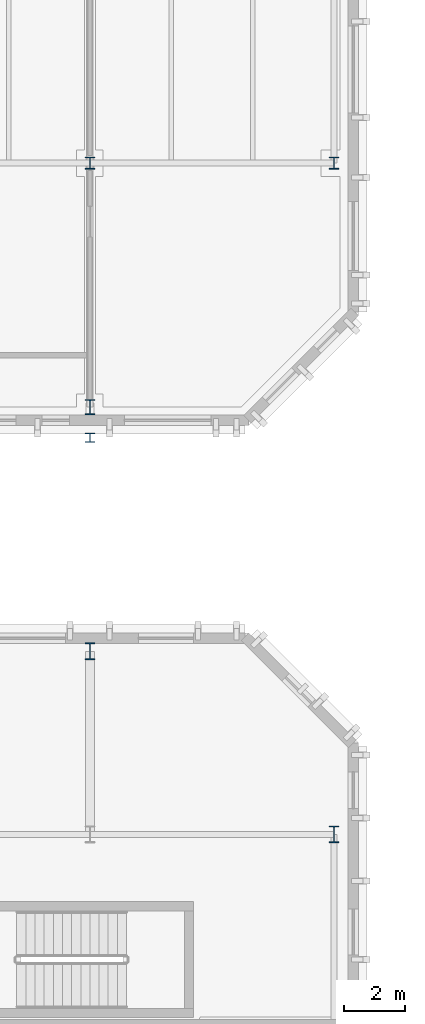
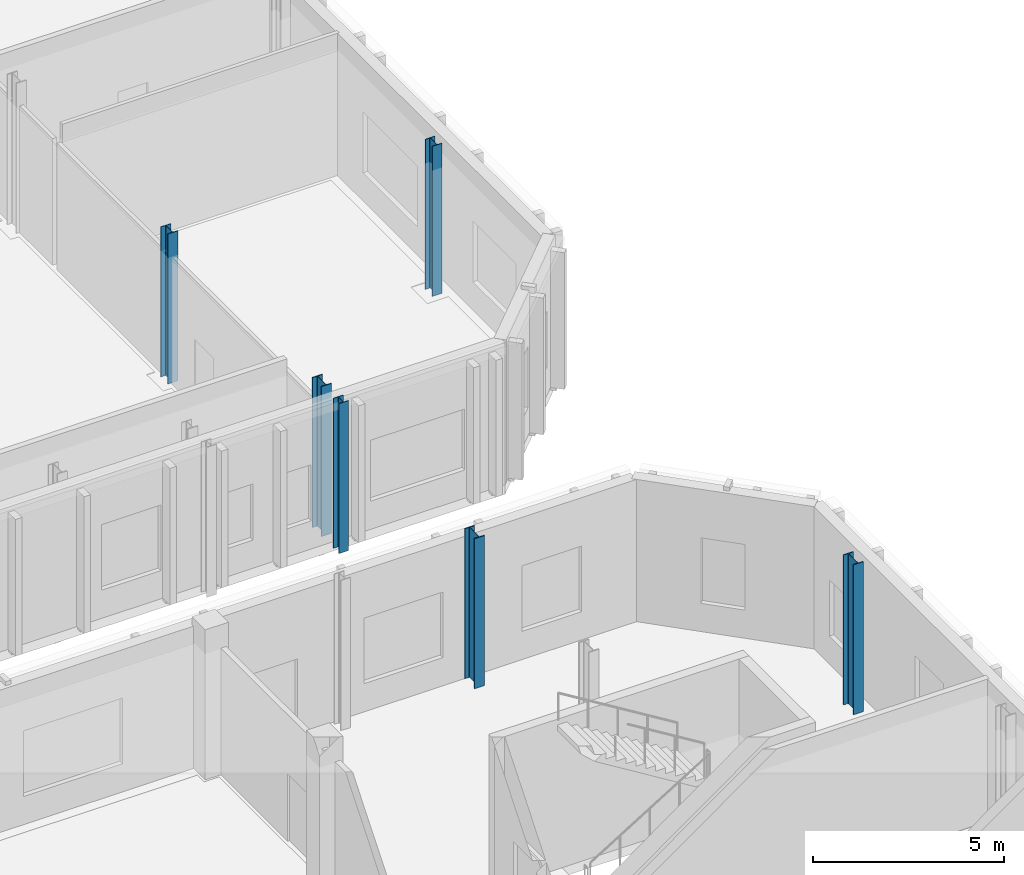
# One storey, part 9 of 60: 6 columns.
"""IFC4 building model written with IfcOpenShell, lengths in metres."""

from ifc_helpers import new_model, si_unit, direction, frame, origin, origin_2d, place, context, subcontext, project, spatial, i_section, extrude, material, material_profile, profile_set, type_object, element, save


model = new_model("IFC4")

# Units and contexts
model_context = context("Model", 3, precision=1e-05, world=origin(), true_north=direction((0.0, 1.0)))
body_context = subcontext(model_context, "Body", "Model", "MODEL_VIEW")
ifc_project = project(units=[si_unit("LENGTHUNIT", "METRE"), si_unit("AREAUNIT", "SQUARE_METRE"), si_unit("VOLUMEUNIT", "CUBIC_METRE"), si_unit("PLANEANGLEUNIT", "RADIAN"), si_unit("MASSUNIT", "GRAM", prefix="KILO")], contexts=[model_context])

# Site, building, storey
site_placement = place(None, origin())
site = spatial("IfcSite", under=ifc_project, at=site_placement, CompositionType="ELEMENT")
building_placement = place(site_placement, origin())
building = spatial("IfcBuilding", under=site, at=building_placement, Name="Cymarion Research Institute", CompositionType="ELEMENT")
storey_placement = place(building_placement, origin())
storey = spatial("IfcBuildingStorey", under=building, at=storey_placement, Name="L00", CompositionType="ELEMENT", Elevation=0.0)

# Columns
ifc_material = material(Name="Steel S355", Category="steel")
ifc_material_profile_1 = material_profile(ifc_material, i_section(OverallWidth=0.300048828125, OverallDepth=0.550048828125, WebThickness=0.014892578125, FlangeThickness=0.029052734375, FilletRadius=0.027099609375, at=origin_2d()), Name="HEB 550")
ifc_profile_set_1 = profile_set([ifc_material_profile_1], Name="Steel S355")
column_type_1 = type_object("IfcColumnType", Name="STRUCTURAL COLUMN C03 HEB 550", PredefinedType="COLUMN", material=ifc_profile_set_1)
for number, where, z_axis, x_axis, name in (
    (1, (38.60009765625, 77.5, 0.0), (0.0, 0.0, 1.0), (1.0, 0.0, 0.0), "L00 V4 column C03 #309"),
    (2, (46.60009765625, 71.5, 0.0), (0.0, 0.0, 1.0), (1.0, 0.0, 0.0), "L00 V4 column C03 #328"),
):
    element("IfcColumn", number, at=place(storey_placement, frame(where, z_axis=z_axis, x_axis=x_axis)), inside=storey, type_object=column_type_1, Name=name, PredefinedType="COLUMN", context=body_context, shape_type="SweptSolid", body=[
        extrude(i_section(OverallWidth=0.300048828125, OverallDepth=0.550048828125, WebThickness=0.014892578125, FlangeThickness=0.029052734375, FilletRadius=0.027099609375, at=origin_2d()), origin(), (0.0, 0.0, 1.0), 4.800048828125),
    ])
ifc_material_profile_2 = material_profile(ifc_material, i_section(OverallWidth=0.300048828125, OverallDepth=0.5, WebThickness=0.014404296875, FlangeThickness=0.028076171875, FilletRadius=0.027099609375, at=origin_2d()), Name="HEB 500")
ifc_profile_set_2 = profile_set([ifc_material_profile_2], Name="Steel S355")
column_type_2 = type_object("IfcColumnType", Name="STRUCTURAL COLUMN C04 HEB 500", PredefinedType="COLUMN", material=ifc_profile_set_2)
column_1_placement = place(storey_placement, frame((38.60009765625, 85.5, 0.0), z_axis=(0.0, 0.0, 1.0), x_axis=(1.0, 0.0, 0.0)))
element("IfcColumn", 3, at=column_1_placement, inside=storey, type_object=column_type_2, Name="L00 V5 column C04 #311", PredefinedType="COLUMN", context=body_context, shape_type="SweptSolid", body=[
    extrude(i_section(OverallWidth=0.300048828125, OverallDepth=0.5, WebThickness=0.014404296875, FlangeThickness=0.028076171875, FilletRadius=0.027099609375, at=origin_2d()), origin(), (0.0, 0.0, 1.0), 4.800048828125),
])
ifc_material_profile_3 = material_profile(ifc_material, i_section(OverallWidth=0.300048828125, OverallDepth=0.300048828125, WebThickness=0.010986328125, FlangeThickness=0.01904296875, FilletRadius=0.027099609375, at=origin_2d()), Name="HEB 300")
ifc_profile_set_3 = profile_set([ifc_material_profile_3], Name="Steel S355")
column_type_3 = type_object("IfcColumnType", Name="STRUCTURAL COLUMN C08 HEB 300", PredefinedType="COLUMN", material=ifc_profile_set_3)
column_2_placement = place(storey_placement, frame((38.60009765625, 84.5, 0.0), z_axis=(0.0, 0.0, 1.0), x_axis=(1.0, 0.0, 0.0)))
element("IfcColumn", 4, at=column_2_placement, inside=storey, type_object=column_type_3, Name="L00 V4 column C08 #310", PredefinedType="COLUMN", context=body_context, shape_type="SweptSolid", body=[
    extrude(i_section(OverallWidth=0.300048828125, OverallDepth=0.300048828125, WebThickness=0.010986328125, FlangeThickness=0.01904296875, FilletRadius=0.027099609375, at=origin_2d()), origin(), (0.0, 0.0, 1.0), 4.800048828125),
])
ifc_material_profile_4 = material_profile(ifc_material, i_section(OverallWidth=0.300048828125, OverallDepth=0.389892578125, WebThickness=0.010986328125, FlangeThickness=0.01904296875, FilletRadius=0.027099609375, at=origin_2d()), Name="HEA 400")
ifc_profile_set_4 = profile_set([ifc_material_profile_4], Name="Steel S355")
column_type_4 = type_object("IfcColumnType", Name="STRUCTURAL COLUMN C11 HEA 400", PredefinedType="COLUMN", material=ifc_profile_set_4)
for number, where, z_axis, x_axis, name in (
    (5, (38.60009765625, 93.5, 0.0), (0.0, 0.0, 1.0), (1.0, 0.0, 0.0), "L00 V5 column C11 #312"),
    (6, (46.60009765625, 93.5, 0.0), (0.0, 0.0, 1.0), (1.0, 0.0, 0.0), "L00 V5 column C11 #329"),
):
    element("IfcColumn", number, at=place(storey_placement, frame(where, z_axis=z_axis, x_axis=x_axis)), inside=storey, type_object=column_type_4, Name=name, PredefinedType="COLUMN", context=body_context, shape_type="SweptSolid", body=[
        extrude(i_section(OverallWidth=0.300048828125, OverallDepth=0.389892578125, WebThickness=0.010986328125, FlangeThickness=0.01904296875, FilletRadius=0.027099609375, at=origin_2d()), origin(), (0.0, 0.0, 1.0), 4.800048828125),
    ])

save(model, "model.ifc")
